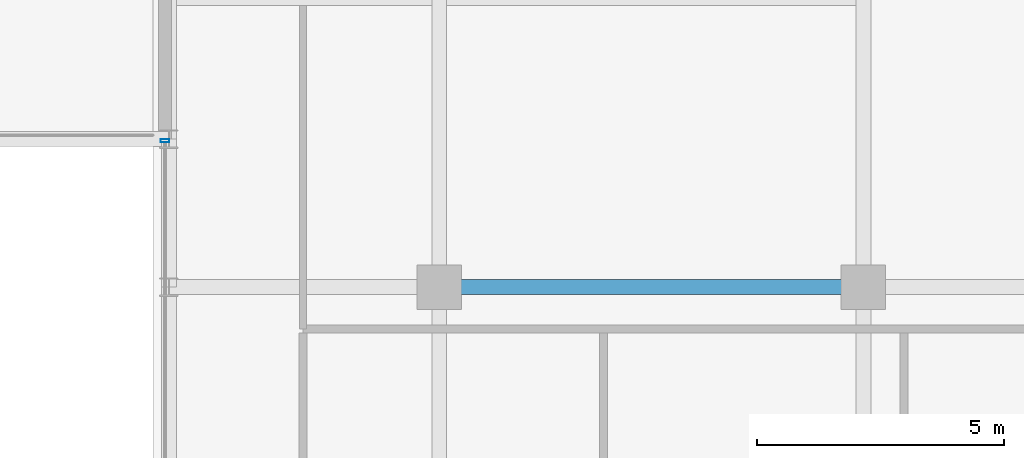
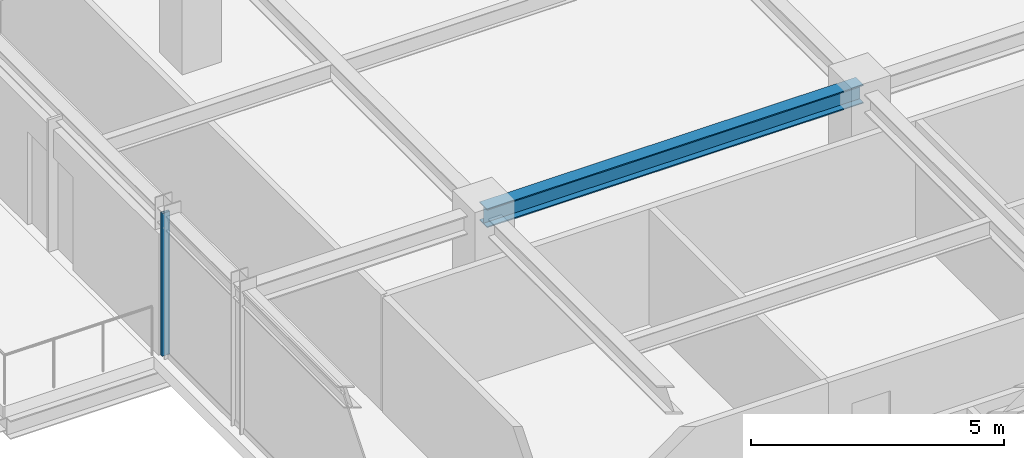
# One storey, part 10 of 36: 1 beam, 1 member, 1 element without a shape of its own.
"""IFC4 building model written with IfcOpenShell, lengths in metres."""

from ifc_helpers import new_model, si_unit, direction, frame, origin, origin_2d, place, context, subcontext, project, spatial, hollow_rectangle, i_section, extrude, source, transform, mapped, material, material_profile, profile_set, type_object, element, aggregate, save


model = new_model("IFC4")

# Units and contexts
model_context = context("Model", 3, precision=1e-05, world=origin(), true_north=direction((0.0, 1.0)))
body_context = subcontext(model_context, "Body", "Model", "MODEL_VIEW")
ifc_project = project(units=[si_unit("LENGTHUNIT", "METRE"), si_unit("AREAUNIT", "SQUARE_METRE"), si_unit("VOLUMEUNIT", "CUBIC_METRE"), si_unit("PLANEANGLEUNIT", "RADIAN"), si_unit("MASSUNIT", "GRAM", prefix="KILO")], contexts=[model_context])

# Site, building, storey
site_placement = place(None, origin())
site = spatial("IfcSite", under=ifc_project, at=site_placement, CompositionType="ELEMENT")
building_placement = place(site_placement, origin())
building = spatial("IfcBuilding", under=site, at=building_placement, Name="Nahalor Promenade Grand Hotel", CompositionType="ELEMENT")
storey_placement = place(building_placement, frame((0.0, 0.0, 273.800048828125)))
storey = spatial("IfcBuildingStorey", under=building, at=storey_placement, Name="L70", CompositionType="ELEMENT", Elevation=273.800048828125)

# Beam
ifc_material_1 = material(Name="Steel S355JR", Category="steel")
ifc_material_profile_1 = material_profile(ifc_material_1, i_section(OverallWidth=0.3, OverallDepth=0.45, WebThickness=0.014, FlangeThickness=0.026, at=origin_2d()), Name="HEB 450")
ifc_profile_set_1 = profile_set([ifc_material_profile_1], Name="Steel S355JR")
beam_type = type_object("IfcBeamType", Name="Beam-Girder-HEB450", PredefinedType="BEAM", material=ifc_profile_set_1)
shared_shape_1 = source(origin(), body_context, "Body", "SweptSolid", [
    extrude(i_section(OverallWidth=0.3, OverallDepth=0.45, WebThickness=0.014, FlangeThickness=0.026, at=origin_2d()), origin(), (0.0, 0.0, 1.0), 8.60009765625),
])
beam_placement = place(storey_placement, frame((-17.0, 5.39990234375, 3.224853515625), z_axis=(1.0, 0.0, 0.0), x_axis=(0.0, 1.0, 0.0)))
element("IfcBeam", 1, at=beam_placement, inside=storey, type_object=beam_type, Name="BM-L70-GX-2-1", PredefinedType="BEAM", context=body_context, shape_type="MappedRepresentation", body=[
    mapped(shared_shape_1, transform((0.0, 0.0, 0.0), scale=1.0)),
])

# Curtain wall, member
ifc_material_2 = material(Name="Anodised Bronze Aluminium EN AW-6063 T6", Category="aluminium")
curtain_wall_type = type_object("IfcCurtainWallType", Name="CW2 Typical Hotel Flush Bronze Unitised Curtain Wall", PredefinedType="USERDEFINED", material=ifc_material_2)
curtain_wall_placement = place(storey_placement, origin())
curtain_wall = element("IfcCurtainWall", 2, at=curtain_wall_placement, inside=storey, type_object=curtain_wall_type, Name="L70 Curtain Wall CW-L70-W-1", ObjectType="UNITISED_CURTAIN_WALL", PredefinedType="USERDEFINED")
ifc_material_profile_2 = material_profile(ifc_material_2, hollow_rectangle(XDim=0.065, YDim=0.18, WallThickness=0.004, at=origin_2d()), Name="CWM 65x180x4")
ifc_profile_set_2 = profile_set([ifc_material_profile_2], Name="Anodised Bronze Aluminium EN AW-6063 T6")
member_type = type_object("IfcMemberType", Name="CWM2 Typical Bronze Mullion 65x180", PredefinedType="MULLION", material=ifc_profile_set_2)
shared_shape_2 = source(origin(), body_context, "Body", "SweptSolid", [
    extrude(hollow_rectangle(XDim=0.065, YDim=0.18, WallThickness=0.004, at=origin_2d()), origin(), (0.0, 0.0, 1.0), 3.449951171875),
])
member_placement = place(storey_placement, frame((-22.56005859375, 8.367431640625, 0.0), z_axis=(0.0, 0.0, 1.0), x_axis=(0.0, 1.0, 0.0)))
member = element("IfcMember", 3, at=member_placement, type_object=member_type, Name="CW-L70-W-1 Mullion 2", PredefinedType="MULLION", context=body_context, shape_type="MappedRepresentation", body=[
    mapped(shared_shape_2, transform((0.0, 0.0, 0.0), scale=1.0)),
])
aggregate(curtain_wall, [member])

save(model, "model.ifc")
